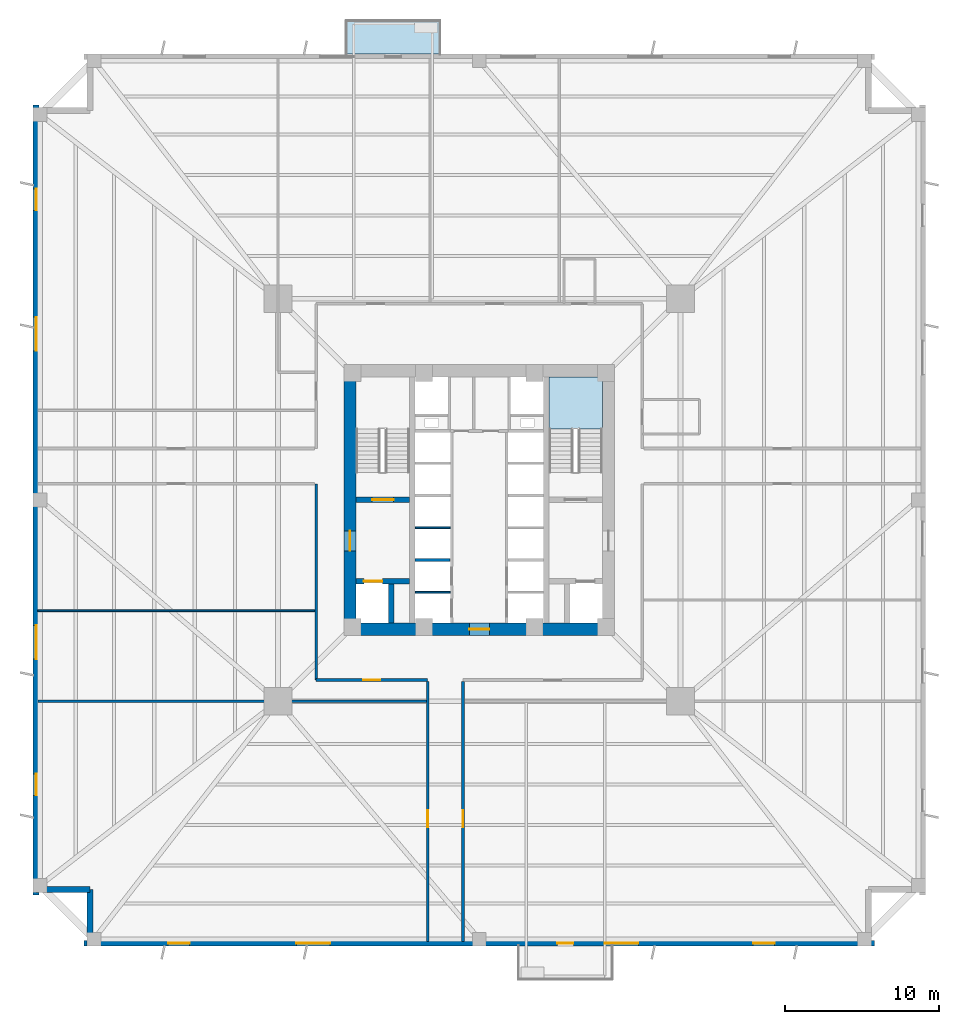
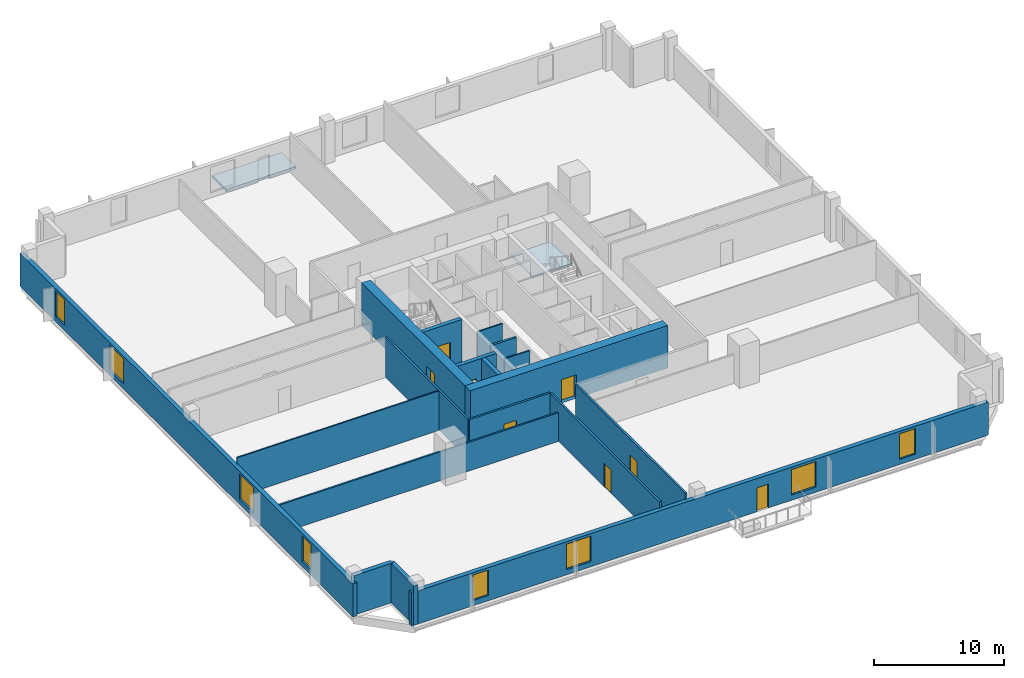
# One storey, part 2 of 8: 18 walls, 8 doors, 8 windows, 2 slabs, 16 openings, 1 element without a shape of its own.
"""IFC4 building model written with IfcOpenShell, lengths in metres."""

from ifc_helpers import new_model, si_unit, direction, frame, frame_2d, origin, place, context, subcontext, project, spatial, polyline, rectangle, outline, extrude, source, transform, mapped, material, layer, layer_set, type_object, element, fill, aggregate, save


model = new_model("IFC4")

# Units and contexts
model_context = context("Model", 3, precision=1e-05, world=origin(), true_north=direction((0.0, 1.0)))
body_context = subcontext(model_context, "Body", "Model", "MODEL_VIEW")
ifc_project = project(units=[si_unit("LENGTHUNIT", "METRE"), si_unit("AREAUNIT", "SQUARE_METRE"), si_unit("VOLUMEUNIT", "CUBIC_METRE"), si_unit("PLANEANGLEUNIT", "RADIAN"), si_unit("MASSUNIT", "GRAM", prefix="KILO"), si_unit("THERMODYNAMICTEMPERATUREUNIT", "KELVIN")], contexts=[model_context])

# Site, building, storey
site_placement = place(None, origin())
site = spatial("IfcSite", under=ifc_project, at=site_placement, CompositionType="ELEMENT")
building_placement = place(site_placement, origin())
building = spatial("IfcBuilding", under=site, at=building_placement, Name="Kosmvard Interchange Tower", CompositionType="ELEMENT")
storey_placement = place(building_placement, frame((0.0, 0.0, 62.0)))
storey = spatial("IfcBuildingStorey", under=building, at=storey_placement, Name="L14", CompositionType="ELEMENT", Elevation=62.0)

# Stair, slab
ifc_material_1 = material(Name="Concrete C50/60", Category="concrete")
stair_type = type_object("IfcStairType", Name="Dog-Leg Core Exit Stair H4000 C50/60", PredefinedType="HALF_TURN_STAIR", material=ifc_material_1)
stair_placement = place(storey_placement, origin())
stair = element("IfcStair", 1, at=stair_placement, inside=storey, type_object=stair_type, Name="L14 Protected Exit Stair ST-2", PredefinedType="HALF_TURN_STAIR")
ifc_layer_1 = layer(ifc_material_1, 0.199951171875, Name="Concrete C50/60")
ifc_layer_set_1 = layer_set([ifc_layer_1], Name="Concrete C50/60")
slab_type_1 = type_object("IfcSlabType", Name="Stair Half-Landing Slab 200 C50/60", PredefinedType="LANDING", material=ifc_layer_set_1)
slab_1_placement = place(storey_placement, frame((0.0, 0.0, 1.800048828125)))
slab_1 = element("IfcSlab", 2, at=slab_1_placement, type_object=slab_type_1, Name="ST-2 landing 1", PredefinedType="LANDING", context=body_context, shape_type="SweptSolid", body=[
    extrude(outline(polyline([(8.0, 4.60009765625), (8.0, 8.0), (4.5400390625, 8.0), (4.5400390625, 4.60009765625), (8.0, 4.60009765625)])), origin(), (0.0, 0.0, 1.0), 0.199951171875),
])
aggregate(stair, [slab_1])

# Slab
ifc_layer_2 = layer(ifc_material_1, 0.22998046875, Name="Concrete C50/60")
ifc_layer_set_2 = layer_set([ifc_layer_2], Name="Concrete C50/60")
slab_type_2 = type_object("IfcSlabType", Name="Tree-Planter Cantilever Balcony Slab 230 C50/60", PredefinedType="FLOOR", material=ifc_layer_set_2)
slab_2_placement = place(storey_placement, frame((0.0, 0.0, -0.22998046875)))
element("IfcSlab", 3, at=slab_2_placement, inside=storey, type_object=slab_type_2, Name="L14 Outdoor Terrace Balcony Slab BAL-L14-NE", PredefinedType="FLOOR", context=body_context, shape_type="SweptSolid", body=[
    extrude(outline(polyline([(-8.699951171875, 29.0), (-2.5, 29.0), (-2.5, 31.199951171875), (-8.699951171875, 31.199951171875), (-8.699951171875, 29.0)])), origin(), (0.0, 0.0, 1.0), 0.22998046875),
])

# Wall
ifc_material_2 = material(Name="Acoustic gypsum partition system")
ifc_layer_3 = layer(ifc_material_2, 0.14990234375, Name="Acoustic gypsum partition system")
ifc_layer_set_3 = layer_set([ifc_layer_3], Name="Acoustic gypsum partition system")
wall_type_1 = type_object("IfcWallType", Name="Acoustic Suite & Meeting Partition 150", PredefinedType="PARTITIONING", material=ifc_layer_set_3)
wall_1_placement = place(storey_placement, frame((-28.68505859375, -13.0810546875, 0.0), z_axis=(0.0, 0.0, 1.0), x_axis=(1.0, 0.0, 0.0)))
element("IfcWall", 4, at=wall_1_placement, inside=storey, type_object=wall_type_1, Name="L14 Room Partition 08.1", PredefinedType="PARTITIONING", context=body_context, shape_type="SweptSolid", body=[
    extrude(rectangle(XDim=25.239990234375, YDim=0.14990234375, at=frame_2d((12.6201171875, 0.0))), origin(), (0.0, 0.0, 1.0), 2.7119140625),
])

# Wall, opening, door
ifc_material_3 = material(Name="Fire-rated gypsum partition system")
ifc_layer_4 = layer(ifc_material_3, 0.179931640625, Name="Fire-rated gypsum partition system")
ifc_layer_set_4 = layer_set([ifc_layer_4], Name="Fire-rated gypsum partition system")
wall_type_2 = type_object("IfcWallType", Name="Corridor & Hotel Compartment Partition 180", PredefinedType="PARTITIONING", material=ifc_layer_set_4)
wall_2_placement = place(storey_placement, frame((-10.60009765625, -11.699951171875, 0.0), z_axis=(0.0, 0.0, 1.0), x_axis=(1.0, 0.0, 0.0)))
wall_2 = element("IfcWall", 5, at=wall_2_placement, inside=storey, type_object=wall_type_2, Name="L14 Corridor Wall CSW", PredefinedType="PARTITIONING", context=body_context, shape_type="SweptSolid", body=[
    extrude(rectangle(XDim=7.25, YDim=0.179931640625, at=frame_2d((3.625, 0.0))), origin(), (0.0, 0.0, 1.0), 3.719970703125),
])
opening_1_placement = place(wall_2_placement, frame((3.074951171875, 0.0, 0.0)))
opening_1 = element("IfcOpeningElement", 6, at=opening_1_placement, cuts=wall_2, Name="Opening L14-D12", PredefinedType="OPENING", context=body_context, shape_type="SweptSolid", body=[
    extrude(rectangle(XDim=1.10009765625, YDim=2.199951171875, at=frame_2d((0.550048828125, 1.10009765625))), frame((0.0, 0.10009765625, 0.0), z_axis=(0.0, -1.0, 0.0), x_axis=(1.0, 0.0, 0.0)), (0.0, 0.0, 1.0), 0.199951171875),
])
ifc_material_4 = material(Name="Engineered oak fire-rated timber", Category="wood")
door_type_1 = type_object("IfcDoorType", Name="Office Suite Entrance Door 1100x2200 FD30S", OperationType="NOTDEFINED", PredefinedType="DOOR", material=ifc_material_4)
shared_shape_1 = source(origin(), body_context, "Body", "SweptSolid", [
    extrude(rectangle(XDim=1.10009765625, YDim=2.199951171875, at=frame_2d((0.550048828125, 1.10009765625))), frame((0.0, 0.02490234375, 0.0), z_axis=(0.0, -1.0, 0.0), x_axis=(1.0, 0.0, 0.0)), (0.0, 0.0, 1.0), 0.050048828125),
])
door_1_placement = place(opening_1_placement, frame((1.10009765625, 0.0, 0.0), z_axis=(0.0, 0.0, 1.0), x_axis=(-1.0, 0.0, 0.0)))
door_1 = element("IfcDoor", 7, at=door_1_placement, inside=storey, type_object=door_type_1, Name="L14 West Team Office 4 Door", OperationType="SINGLE_SWING_RIGHT", OverallHeight=2.199951171875, OverallWidth=1.10009765625, PredefinedType="DOOR", context=body_context, shape_type="MappedRepresentation", body=[
    mapped(shared_shape_1, transform((0.0, 0.0, 0.0), scale=1.0)),
])
fill(opening_1, door_1)

# Wall
wall_3_placement = place(storey_placement, frame((-10.60009765625, -11.699951171875, 0.0), z_axis=(0.0, 0.0, 1.0), x_axis=(0.0, 1.0, 0.0)))
element("IfcWall", 8, at=wall_3_placement, inside=storey, type_object=wall_type_2, Name="L14 Corridor Wall CWS", PredefinedType="PARTITIONING", context=body_context, shape_type="SweptSolid", body=[
    extrude(rectangle(XDim=12.75, YDim=0.179931640625, at=frame_2d((6.375, 0.0))), origin(), (0.0, 0.0, 1.0), 3.719970703125),
])

# Wall, opening, door
wall_4_placement = place(storey_placement, frame((-3.35009765625, -28.68505859375, 0.0), z_axis=(0.0, 0.0, 1.0), x_axis=(0.0, 1.0, 0.0)))
wall_4 = element("IfcWall", 9, at=wall_4_placement, inside=storey, type_object=wall_type_2, Name="L14 Corridor Wall SSW", PredefinedType="PARTITIONING", context=body_context, shape_type="SweptSolid", body=[
    extrude(rectangle(XDim=16.885009765625, YDim=0.179931640625, at=frame_2d((8.4423828125, 0.0))), origin(), (0.0, 0.0, 1.0), 3.719970703125),
])
opening_2_placement = place(wall_4_placement, frame((7.41650390625, 0.0, 0.0)))
opening_2 = element("IfcOpeningElement", 10, at=opening_2_placement, cuts=wall_4, Name="Opening L14-D13", PredefinedType="OPENING", context=body_context, shape_type="SweptSolid", body=[
    extrude(rectangle(XDim=1.10009765625, YDim=2.199951171875, at=frame_2d((0.550048828125, 1.10009765625))), frame((0.0, 0.10009765625, 0.0), z_axis=(0.0, -1.0, 0.0), x_axis=(1.0, 0.0, 0.0)), (0.0, 0.0, 1.0), 0.199951171875),
])
door_2_placement = place(opening_2_placement, origin())
door_2 = element("IfcDoor", 11, at=door_2_placement, inside=storey, type_object=door_type_1, Name="L14 South-West Corner Office Door", OperationType="SINGLE_SWING_LEFT", OverallHeight=2.199951171875, OverallWidth=1.10009765625, PredefinedType="DOOR", context=body_context, shape_type="MappedRepresentation", body=[
    mapped(shared_shape_1, transform((0.0, 0.0, 0.0), scale=1.0)),
])
fill(opening_2, door_2)

wall_5_placement = place(storey_placement, frame((-1.050048828125, -28.68505859375, 0.0), z_axis=(0.0, 0.0, 1.0), x_axis=(0.0, 1.0, 0.0)))
wall_5 = element("IfcWall", 12, at=wall_5_placement, inside=storey, type_object=wall_type_2, Name="L14 Corridor Wall SSE", PredefinedType="PARTITIONING", context=body_context, shape_type="SweptSolid", body=[
    extrude(rectangle(XDim=16.885009765625, YDim=0.179931640625, at=frame_2d((8.4423828125, 0.0))), origin(), (0.0, 0.0, 1.0), 3.719970703125),
])
opening_3_placement = place(wall_5_placement, frame((7.41650390625, 0.0, 0.0)))
opening_3 = element("IfcOpeningElement", 13, at=opening_3_placement, cuts=wall_5, Name="Opening L14-D10", PredefinedType="OPENING", context=body_context, shape_type="SweptSolid", body=[
    extrude(rectangle(XDim=1.10009765625, YDim=2.199951171875, at=frame_2d((0.550048828125, 1.10009765625))), frame((0.0, 0.10009765625, 0.0), z_axis=(0.0, -1.0, 0.0), x_axis=(1.0, 0.0, 0.0)), (0.0, 0.0, 1.0), 0.199951171875),
])
door_3_placement = place(opening_3_placement, frame((1.10009765625, 0.0, 0.0), z_axis=(0.0, 0.0, 1.0), x_axis=(-1.0, 0.0, 0.0)))
door_3 = element("IfcDoor", 14, at=door_3_placement, inside=storey, type_object=door_type_1, Name="L14 South-East Corner Office Door", OperationType="SINGLE_SWING_RIGHT", OverallHeight=2.199951171875, OverallWidth=1.10009765625, PredefinedType="DOOR", context=body_context, shape_type="MappedRepresentation", body=[
    mapped(shared_shape_1, transform((0.0, 0.0, 0.0), scale=1.0)),
])
fill(opening_3, door_3)

ifc_material_5 = material(Name="Concrete C80/95", Category="concrete")
ifc_layer_5 = layer(ifc_material_5, 0.800048828125, Name="Concrete C80/95")
ifc_layer_set_5 = layer_set([ifc_layer_5], Name="Concrete C80/95")
wall_type_3 = type_object("IfcWallType", Name="Lower Core Shear Wall 800 C80/95", PredefinedType="SHEAR", material=ifc_layer_set_5)
wall_6_placement = place(storey_placement, frame((-8.800048828125, -8.39990234375, 0.0), z_axis=(0.0, 0.0, 1.0), x_axis=(1.0, 0.0, 0.0)))
wall_6 = element("IfcWall", 15, at=wall_6_placement, inside=storey, type_object=wall_type_3, Name="L14 Core Shear Wall CW-S", PredefinedType="SHEAR", context=body_context, shape_type="SweptSolid", body=[
    extrude(rectangle(XDim=17.60009765625, YDim=0.800048828125, at=frame_2d((8.800048828125, 0.0))), origin(), (0.0, 0.0, 1.0), 4.0),
])
opening_4_placement = place(wall_6_placement, frame((8.14990234375, 0.0, 0.0)))
opening_4 = element("IfcOpeningElement", 16, at=opening_4_placement, cuts=wall_6, Name="Opening L14-LD0", PredefinedType="OPENING", context=body_context, shape_type="SweptSolid", body=[
    extrude(rectangle(XDim=1.300048828125, YDim=2.199951171875, at=frame_2d((0.64990234375, 1.10009765625))), frame((0.0, 0.41015625, 0.0), z_axis=(0.0, -1.0, 0.0), x_axis=(1.0, 0.0, 0.0)), (0.0, 0.0, 1.0), 0.820068359375),
])
ifc_material_6 = material(Name="Painted fire-rated steel leaf", Category="steel")
door_type_2 = type_object("IfcDoorType", Name="Firefighting Lobby Door 1300x2200 EI60", OperationType="NOTDEFINED", PredefinedType="DOOR", material=ifc_material_6)
shared_shape_2 = source(origin(), body_context, "Body", "SweptSolid", [
    extrude(rectangle(XDim=1.300048828125, YDim=2.199951171875, at=frame_2d((0.64990234375, 1.10009765625))), frame((0.0, 0.02490234375, 0.0), z_axis=(0.0, -1.0, 0.0), x_axis=(1.0, 0.0, 0.0)), (0.0, 0.0, 1.0), 0.050048828125),
])
door_4_placement = place(opening_4_placement, frame((1.300048828125, 0.0, 0.0), z_axis=(0.0, 0.0, 1.0), x_axis=(-1.0, 0.0, 0.0)))
door_4 = element("IfcDoor", 17, at=door_4_placement, inside=storey, type_object=door_type_2, Name="L14 Passenger Lift Lobby South Door", OperationType="SINGLE_SWING_LEFT", OverallHeight=2.199951171875, OverallWidth=1.300048828125, PredefinedType="DOOR", context=body_context, shape_type="MappedRepresentation", body=[
    mapped(shared_shape_2, transform((0.0, 0.0, 0.0), scale=1.0)),
])
fill(opening_4, door_4)

wall_7_placement = place(storey_placement, frame((-8.39990234375, -8.0, 0.0), z_axis=(0.0, 0.0, 1.0), x_axis=(0.0, 1.0, 0.0)))
wall_7 = element("IfcWall", 18, at=wall_7_placement, inside=storey, type_object=wall_type_3, Name="L14 Core Shear Wall CW-W", PredefinedType="SHEAR", context=body_context, shape_type="SweptSolid", body=[
    extrude(rectangle(XDim=16.0, YDim=0.800048828125, at=frame_2d((8.0, 0.0))), origin(), (0.0, 0.0, 1.0), 4.0),
])
opening_5_placement = place(wall_7_placement, frame((4.68994140625, 0.0, 0.0)))
opening_5 = element("IfcOpeningElement", 19, at=opening_5_placement, cuts=wall_7, Name="Opening L14-FD1", PredefinedType="OPENING", context=body_context, shape_type="SweptSolid", body=[
    extrude(rectangle(XDim=1.300048828125, YDim=2.199951171875, at=frame_2d((0.64990234375, 1.10009765625))), frame((0.0, 0.41015625, 0.0), z_axis=(0.0, -1.0, 0.0), x_axis=(1.0, 0.0, 0.0)), (0.0, 0.0, 1.0), 0.820068359375),
])
door_5_placement = place(opening_5_placement, frame((1.300048828125, 0.0, 0.0), z_axis=(0.0, 0.0, 1.0), x_axis=(-1.0, 0.0, 0.0)))
door_5 = element("IfcDoor", 20, at=door_5_placement, inside=storey, type_object=door_type_2, Name="L14 Firefighting Lobby West Door", OperationType="SINGLE_SWING_LEFT", OverallHeight=2.199951171875, OverallWidth=1.300048828125, PredefinedType="DOOR", context=body_context, shape_type="MappedRepresentation", body=[
    mapped(shared_shape_2, transform((0.0, 0.0, 0.0), scale=1.0)),
])
fill(opening_5, door_5)

# Wall, openings, door, windows
ifc_material_7 = material(Name="Precast concrete C45/55", Category="concrete")
ifc_layer_6 = layer(ifc_material_7, 0.3798828125, Name="Precast concrete C45/55")
ifc_layer_set_6 = layer_set([ifc_layer_6], Name="Precast concrete C45/55")
wall_type_4 = type_object("IfcWallType", Name="Lower Tower Precast Pier Wall 380 C45/55", PredefinedType="STANDARD", material=ifc_layer_set_6)
wall_8_placement = place(storey_placement, frame((-25.68994140625, -28.81005859375, 0.0), z_axis=(0.0, 0.0, 1.0), x_axis=(1.0, 0.0, 0.0)))
wall_8 = element("IfcWall", 21, at=wall_8_placement, inside=storey, type_object=wall_type_4, Name="L14 Precast Facade Wall F-S", PredefinedType="STANDARD", context=body_context, shape_type="SweptSolid", body=[
    extrude(rectangle(XDim=51.3798828125, YDim=0.3798828125, at=frame_2d((25.68994140625, 0.0))), origin(), (0.0, 0.0, 1.0), 3.1201171875),
])
opening_6_placement = place(wall_8_placement, frame((30.764892578125, 0.0, 0.0)))
opening_6 = element("IfcOpeningElement", 22, at=opening_6_placement, cuts=wall_8, Name="Opening L14-BDW", PredefinedType="OPENING", context=body_context, shape_type="SweptSolid", body=[
    extrude(rectangle(XDim=1.050048828125, YDim=2.25, at=frame_2d((0.52490234375, 1.125))), frame((0.0, 0.199951171875, 0.0), z_axis=(0.0, -1.0, 0.0), x_axis=(1.0, 0.0, 0.0)), (0.0, 0.0, 1.0), 0.39990234375),
])
opening_7_placement = place(wall_8_placement, frame((5.465576171875, 0.0, 0.489990234375)))
opening_7 = element("IfcOpeningElement", 23, at=opening_7_placement, cuts=wall_8, Name="Opening L14-W01", PredefinedType="OPENING", context=body_context, shape_type="SweptSolid", body=[
    extrude(rectangle(XDim=1.39990234375, YDim=2.39990234375, at=frame_2d((0.699951171875, 1.199951171875))), frame((0.0, 0.199951171875, 0.0), z_axis=(0.0, -1.0, 0.0), x_axis=(1.0, 0.0, 0.0)), (0.0, 0.0, 1.0), 0.39990234375),
])
opening_8_placement = place(wall_8_placement, frame((13.80029296875, 0.0, 0.489990234375)))
opening_8 = element("IfcOpeningElement", 24, at=opening_8_placement, cuts=wall_8, Name="Opening L14-W02", PredefinedType="OPENING", context=body_context, shape_type="SweptSolid", body=[
    extrude(rectangle(XDim=2.199951171875, YDim=2.39990234375, at=frame_2d((1.10009765625, 1.199951171875))), frame((0.0, 0.199951171875, 0.0), z_axis=(0.0, -1.0, 0.0), x_axis=(1.0, 0.0, 0.0)), (0.0, 0.0, 1.0), 0.39990234375),
])
opening_9_placement = place(wall_8_placement, frame((33.83837890625, 0.0, 0.489990234375)))
opening_9 = element("IfcOpeningElement", 25, at=opening_9_placement, cuts=wall_8, Name="Opening L14-W03", PredefinedType="OPENING", context=body_context, shape_type="SweptSolid", body=[
    extrude(rectangle(XDim=2.199951171875, YDim=2.39990234375, at=frame_2d((1.10009765625, 1.199951171875))), frame((0.0, 0.199951171875, 0.0), z_axis=(0.0, -1.0, 0.0), x_axis=(1.0, 0.0, 0.0)), (0.0, 0.0, 1.0), 0.39990234375),
])
opening_10_placement = place(wall_8_placement, frame((43.48681640625, 0.0, 0.489990234375)))
opening_10 = element("IfcOpeningElement", 26, at=opening_10_placement, cuts=wall_8, Name="Opening L14-W04", PredefinedType="OPENING", context=body_context, shape_type="SweptSolid", body=[
    extrude(rectangle(XDim=1.39990234375, YDim=2.39990234375, at=frame_2d((0.699951171875, 1.199951171875))), frame((0.0, 0.199951171875, 0.0), z_axis=(0.0, -1.0, 0.0), x_axis=(1.0, 0.0, 0.0)), (0.0, 0.0, 1.0), 0.39990234375),
])
ifc_material_8 = material(Name="Anodised aluminium and safety glass", Category="aluminium")
door_type_3 = type_object("IfcDoorType", Name="Tree-Balcony Glazed Door 1050x2250", OperationType="NOTDEFINED", PredefinedType="DOOR", material=ifc_material_8)
shared_shape_3 = source(origin(), body_context, "Body", "SweptSolid", [
    extrude(rectangle(XDim=1.050048828125, YDim=2.25, at=frame_2d((0.52490234375, 1.125))), frame((0.0, 0.02490234375, 0.0), z_axis=(0.0, -1.0, 0.0), x_axis=(1.0, 0.0, 0.0)), (0.0, 0.0, 1.0), 0.050048828125),
])
door_6_placement = place(opening_6_placement, origin())
door_6 = element("IfcDoor", 27, at=door_6_placement, inside=storey, type_object=door_type_3, Name="L14 Tree-Balcony Door BAL-L14-SW", OperationType="SINGLE_SWING_LEFT", OverallHeight=2.25, OverallWidth=1.050048828125, PredefinedType="DOOR", context=body_context, shape_type="MappedRepresentation", body=[
    mapped(shared_shape_3, transform((0.0, 0.0, 0.0), scale=1.0)),
])
fill(opening_6, door_6)
ifc_material_9 = material(Name="Low-E solar-control double glazing", Category="glass")
window_type_1 = type_object("IfcWindowType", Name="Notched Corner Feature Window 1400x2400", PartitioningType="SINGLE_PANEL", PredefinedType="WINDOW", material=ifc_material_9)
shared_shape_4 = source(origin(), body_context, "Body", "SweptSolid", [
    extrude(rectangle(XDim=1.39990234375, YDim=2.39990234375, at=frame_2d((0.699951171875, 1.199951171875))), frame((0.0, 0.030029296875, 0.0), z_axis=(0.0, -1.0, 0.0), x_axis=(1.0, 0.0, 0.0)), (0.0, 0.0, 1.0), 0.06005859375),
])
window_1_placement = place(opening_7_placement, origin())
window_1 = element("IfcWindow", 28, at=window_1_placement, inside=storey, type_object=window_type_1, Name="L14 Facade Punched Window 01", OverallHeight=2.39990234375, OverallWidth=1.39990234375, PartitioningType="SINGLE_PANEL", PredefinedType="WINDOW", context=body_context, shape_type="MappedRepresentation", body=[
    mapped(shared_shape_4, transform((0.0, 0.0, 0.0), scale=1.0)),
])
fill(opening_7, window_1)
window_2_placement = place(opening_10_placement, origin())
window_2 = element("IfcWindow", 29, at=window_2_placement, inside=storey, type_object=window_type_1, Name="L14 Facade Punched Window 04", OverallHeight=2.39990234375, OverallWidth=1.39990234375, PartitioningType="SINGLE_PANEL", PredefinedType="WINDOW", context=body_context, shape_type="MappedRepresentation", body=[
    mapped(shared_shape_4, transform((0.0, 0.0, 0.0), scale=1.0)),
])
fill(opening_10, window_2)
window_type_2 = type_object("IfcWindowType", Name="Zone 1 Office Punched Window 2200x2400", PartitioningType="SINGLE_PANEL", PredefinedType="WINDOW", material=ifc_material_9)
shared_shape_5 = source(origin(), body_context, "Body", "SweptSolid", [
    extrude(rectangle(XDim=2.199951171875, YDim=2.39990234375, at=frame_2d((1.10009765625, 1.199951171875))), frame((0.0, 0.030029296875, 0.0), z_axis=(0.0, -1.0, 0.0), x_axis=(1.0, 0.0, 0.0)), (0.0, 0.0, 1.0), 0.06005859375),
])
window_3_placement = place(opening_8_placement, origin())
window_3 = element("IfcWindow", 30, at=window_3_placement, inside=storey, type_object=window_type_2, Name="L14 Facade Punched Window 02", OverallHeight=2.39990234375, OverallWidth=2.199951171875, PartitioningType="SINGLE_PANEL", PredefinedType="WINDOW", context=body_context, shape_type="MappedRepresentation", body=[
    mapped(shared_shape_5, transform((0.0, 0.0, 0.0), scale=1.0)),
])
fill(opening_8, window_3)
window_4_placement = place(opening_9_placement, origin())
window_4 = element("IfcWindow", 31, at=window_4_placement, inside=storey, type_object=window_type_2, Name="L14 Facade Punched Window 03", OverallHeight=2.39990234375, OverallWidth=2.199951171875, PartitioningType="SINGLE_PANEL", PredefinedType="WINDOW", context=body_context, shape_type="MappedRepresentation", body=[
    mapped(shared_shape_5, transform((0.0, 0.0, 0.0), scale=1.0)),
])
fill(opening_9, window_4)

# Wall, openings, windows
wall_9_placement = place(storey_placement, frame((-28.81005859375, 25.68994140625, 0.0), z_axis=(0.0, 0.0, 1.0), x_axis=(0.0, -1.0, 0.0)))
wall_9 = element("IfcWall", 32, at=wall_9_placement, inside=storey, type_object=wall_type_4, Name="L14 Precast Facade Wall F-W", PredefinedType="STANDARD", context=body_context, shape_type="SweptSolid", body=[
    extrude(rectangle(XDim=51.3798828125, YDim=0.3798828125, at=frame_2d((25.68994140625, 0.0))), origin(), (0.0, 0.0, 1.0), 3.1201171875),
])
opening_11_placement = place(wall_9_placement, frame((5.465576171875, 0.0, 0.489990234375)))
opening_11 = element("IfcOpeningElement", 33, at=opening_11_placement, cuts=wall_9, Name="Opening L14-W15", PredefinedType="OPENING", context=body_context, shape_type="SweptSolid", body=[
    extrude(rectangle(XDim=1.39990234375, YDim=2.39990234375, at=frame_2d((0.699951171875, 1.199951171875))), frame((0.0, 0.199951171875, 0.0), z_axis=(0.0, -1.0, 0.0), x_axis=(1.0, 0.0, 0.0)), (0.0, 0.0, 1.0), 0.39990234375),
])
opening_12_placement = place(wall_9_placement, frame((13.80029296875, 0.0, 0.489990234375)))
opening_12 = element("IfcOpeningElement", 34, at=opening_12_placement, cuts=wall_9, Name="Opening L14-W16", PredefinedType="OPENING", context=body_context, shape_type="SweptSolid", body=[
    extrude(rectangle(XDim=2.199951171875, YDim=2.39990234375, at=frame_2d((1.10009765625, 1.199951171875))), frame((0.0, 0.199951171875, 0.0), z_axis=(0.0, -1.0, 0.0), x_axis=(1.0, 0.0, 0.0)), (0.0, 0.0, 1.0), 0.39990234375),
])
opening_13_placement = place(wall_9_placement, frame((33.83837890625, 0.0, 0.489990234375)))
opening_13 = element("IfcOpeningElement", 35, at=opening_13_placement, cuts=wall_9, Name="Opening L14-W17", PredefinedType="OPENING", context=body_context, shape_type="SweptSolid", body=[
    extrude(rectangle(XDim=2.199951171875, YDim=2.39990234375, at=frame_2d((1.10009765625, 1.199951171875))), frame((0.0, 0.199951171875, 0.0), z_axis=(0.0, -1.0, 0.0), x_axis=(1.0, 0.0, 0.0)), (0.0, 0.0, 1.0), 0.39990234375),
])
opening_14_placement = place(wall_9_placement, frame((43.48681640625, 0.0, 0.489990234375)))
opening_14 = element("IfcOpeningElement", 36, at=opening_14_placement, cuts=wall_9, Name="Opening L14-W18", PredefinedType="OPENING", context=body_context, shape_type="SweptSolid", body=[
    extrude(rectangle(XDim=1.39990234375, YDim=2.39990234375, at=frame_2d((0.699951171875, 1.199951171875))), frame((0.0, 0.199951171875, 0.0), z_axis=(0.0, -1.0, 0.0), x_axis=(1.0, 0.0, 0.0)), (0.0, 0.0, 1.0), 0.39990234375),
])
window_5_placement = place(opening_11_placement, origin())
window_5 = element("IfcWindow", 37, at=window_5_placement, inside=storey, type_object=window_type_1, Name="L14 Facade Punched Window 15", OverallHeight=2.39990234375, OverallWidth=1.39990234375, PartitioningType="SINGLE_PANEL", PredefinedType="WINDOW", context=body_context, shape_type="MappedRepresentation", body=[
    mapped(shared_shape_4, transform((0.0, 0.0, 0.0), scale=1.0)),
])
fill(opening_11, window_5)
window_6_placement = place(opening_14_placement, origin())
window_6 = element("IfcWindow", 38, at=window_6_placement, inside=storey, type_object=window_type_1, Name="L14 Facade Punched Window 18", OverallHeight=2.39990234375, OverallWidth=1.39990234375, PartitioningType="SINGLE_PANEL", PredefinedType="WINDOW", context=body_context, shape_type="MappedRepresentation", body=[
    mapped(shared_shape_4, transform((0.0, 0.0, 0.0), scale=1.0)),
])
fill(opening_14, window_6)
window_7_placement = place(opening_12_placement, origin())
window_7 = element("IfcWindow", 39, at=window_7_placement, inside=storey, type_object=window_type_2, Name="L14 Facade Punched Window 16", OverallHeight=2.39990234375, OverallWidth=2.199951171875, PartitioningType="SINGLE_PANEL", PredefinedType="WINDOW", context=body_context, shape_type="MappedRepresentation", body=[
    mapped(shared_shape_5, transform((0.0, 0.0, 0.0), scale=1.0)),
])
fill(opening_12, window_7)
window_8_placement = place(opening_13_placement, origin())
window_8 = element("IfcWindow", 40, at=window_8_placement, inside=storey, type_object=window_type_2, Name="L14 Facade Punched Window 17", OverallHeight=2.39990234375, OverallWidth=2.199951171875, PartitioningType="SINGLE_PANEL", PredefinedType="WINDOW", context=body_context, shape_type="MappedRepresentation", body=[
    mapped(shared_shape_5, transform((0.0, 0.0, 0.0), scale=1.0)),
])
fill(opening_13, window_8)

# Walls
wall_10_placement = place(storey_placement, frame((-28.81005859375, -25.31005859375, 0.0), z_axis=(0.0, 0.0, 1.0), x_axis=(1.0, 0.0, 0.0)))
element("IfcWall", 41, at=wall_10_placement, inside=storey, type_object=wall_type_4, Name="L14 Precast Facade Wall N-SW1", PredefinedType="STANDARD", context=body_context, shape_type="SweptSolid", body=[
    extrude(rectangle(XDim=3.5, YDim=0.3798828125, at=frame_2d((1.75, 0.0))), origin(), (0.0, 0.0, 1.0), 3.719970703125),
])
wall_11_placement = place(storey_placement, frame((-25.31005859375, -25.31005859375, 0.0), z_axis=(0.0, 0.0, 1.0), x_axis=(0.0, -1.0, 0.0)))
element("IfcWall", 42, at=wall_11_placement, inside=storey, type_object=wall_type_4, Name="L14 Precast Facade Wall N-SW2", PredefinedType="STANDARD", context=body_context, shape_type="SweptSolid", body=[
    extrude(rectangle(XDim=3.68994140625, YDim=0.3798828125, at=frame_2d((1.844970703125, 0.0))), origin(), (0.0, 0.0, 1.0), 3.719970703125),
])
ifc_material_10 = material(Name="Gypsum board partition system")
ifc_layer_7 = layer(ifc_material_10, 0.1201171875, Name="Gypsum board partition system")
ifc_layer_set_7 = layer_set([ifc_layer_7], Name="Gypsum board partition system")
wall_type_5 = type_object("IfcWallType", Name="Office Cellular Partition 120", PredefinedType="PARTITIONING", material=ifc_layer_set_7)
wall_12_placement = place(storey_placement, frame((-28.68505859375, -7.199951171875, 0.0), z_axis=(0.0, 0.0, 1.0), x_axis=(1.0, 0.0, 0.0)))
element("IfcWall", 43, at=wall_12_placement, inside=storey, type_object=wall_type_5, Name="L14 Room Partition 09.1", PredefinedType="PARTITIONING", context=body_context, shape_type="SweptSolid", body=[
    extrude(rectangle(XDim=17.989990234375, YDim=0.1201171875, at=frame_2d((8.9951171875, 0.0))), origin(), (0.0, 0.0, 1.0), 3.719970703125),
])
ifc_material_11 = material(Name="Concrete blockwork masonry", Category="masonry")
ifc_layer_8 = layer(ifc_material_11, 0.179931640625, Name="Concrete blockwork masonry")
ifc_layer_set_8 = layer_set([ifc_layer_8], Name="Concrete blockwork masonry")
wall_type_6 = type_object("IfcWallType", Name="Riser & Lift Bank Divider Wall 180", PredefinedType="PARTITIONING", material=ifc_layer_set_8)
wall_13_placement = place(storey_placement, frame((-4.169921875, -3.89990234375, 0.0), z_axis=(0.0, 0.0, 1.0), x_axis=(1.0, 0.0, 0.0)))
element("IfcWall", 44, at=wall_13_placement, inside=storey, type_object=wall_type_6, Name="L14 West Bank Divider BD1", PredefinedType="PARTITIONING", context=body_context, shape_type="SweptSolid", body=[
    extrude(rectangle(XDim=2.280029296875, YDim=0.179931640625, at=frame_2d((1.14013671875, 0.0))), origin(), (0.0, 0.0, 1.0), 3.719970703125),
])
ifc_material_12 = material(Name="Fire-rated gypsum shaftwall system")
ifc_layer_9 = layer(ifc_material_12, 0.1201171875, Name="Fire-rated gypsum shaftwall system")
ifc_layer_set_9 = layer_set([ifc_layer_9], Name="Fire-rated gypsum shaftwall system")
wall_type_7 = type_object("IfcWallType", Name="Shaft & Riser Fire Partition 120 EI60", PredefinedType="PARTITIONING", material=ifc_layer_set_9)
for number, where, z_axis, x_axis, name in (
    (45, (-4.159912109375, -6.0, 0.0), (0.0, 0.0, 1.0), (1.0, 0.0, 0.0), "L14 Shaft Divider PL-L1"),
    (46, (-4.159912109375, -1.800048828125, 0.0), (0.0, 0.0, 1.0), (1.0, 0.0, 0.0), "L14 Shaft Divider PL-M1"),
):
    element("IfcWall", number, at=place(storey_placement, frame(where, z_axis=z_axis, x_axis=x_axis)), inside=storey, type_object=wall_type_7, Name=name, PredefinedType="PARTITIONING", context=body_context, shape_type="SweptSolid", body=[
        extrude(rectangle(XDim=2.260009765625, YDim=0.1201171875, at=frame_2d((1.1298828125, 0.0))), origin(), (0.0, 0.0, 1.0), 3.719970703125),
    ])

# Wall, opening, door
ifc_material_13 = material(Name="Concrete C60/75", Category="concrete")
ifc_layer_10 = layer(ifc_material_13, 0.360107421875, Name="Concrete C60/75")
ifc_layer_set_10 = layer_set([ifc_layer_10], Name="Concrete C60/75")
wall_type_8 = type_object("IfcWallType", Name="Stair & Lift Shaft Shear Wall 360 C60/75", PredefinedType="SHEAR", material=ifc_layer_set_10)
wall_14_placement = place(storey_placement, frame((-8.0, 0.02001953125, 0.0), z_axis=(0.0, 0.0, 1.0), x_axis=(1.0, 0.0, 0.0)))
wall_14 = element("IfcWall", 47, at=wall_14_placement, inside=storey, type_object=wall_type_8, Name="L14 Shaft Shear Wall SW-ST1", PredefinedType="SHEAR", context=body_context, shape_type="SweptSolid", body=[
    extrude(rectangle(XDim=3.4599609375, YDim=0.360107421875, at=frame_2d((1.72998046875, 0.0))), origin(), (0.0, 0.0, 1.0), 4.0),
])
opening_15_placement = place(wall_14_placement, frame((1.030029296875, 0.0, 0.0)))
opening_15 = element("IfcOpeningElement", 48, at=opening_15_placement, cuts=wall_14, Name="Opening L14-SD1", PredefinedType="OPENING", context=body_context, shape_type="SweptSolid", body=[
    extrude(rectangle(XDim=1.39990234375, YDim=2.199951171875, at=frame_2d((0.699951171875, 1.10009765625))), frame((0.0, 0.18994140625, 0.0), z_axis=(0.0, -1.0, 0.0), x_axis=(1.0, 0.0, 0.0)), (0.0, 0.0, 1.0), 0.380126953125),
])
door_type_4 = type_object("IfcDoorType", Name="Protected Stair Door 1400x2200 FD60S", OperationType="NOTDEFINED", PredefinedType="DOOR", material=ifc_material_6)
shared_shape_6 = source(origin(), body_context, "Body", "SweptSolid", [
    extrude(rectangle(XDim=1.39990234375, YDim=2.199951171875, at=frame_2d((0.699951171875, 1.10009765625))), frame((0.0, 0.02490234375, 0.0), z_axis=(0.0, -1.0, 0.0), x_axis=(1.0, 0.0, 0.0)), (0.0, 0.0, 1.0), 0.050048828125),
])
door_7_placement = place(opening_15_placement, origin())
door_7 = element("IfcDoor", 49, at=door_7_placement, inside=storey, type_object=door_type_4, Name="L14 Stair ST-1 Enclosure Door", OperationType="SINGLE_SWING_LEFT", OverallHeight=2.199951171875, OverallWidth=1.39990234375, PredefinedType="DOOR", context=body_context, shape_type="MappedRepresentation", body=[
    mapped(shared_shape_6, transform((0.0, 0.0, 0.0), scale=1.0)),
])
fill(opening_15, door_7)

wall_15_placement = place(storey_placement, frame((-8.0, -5.280029296875, 0.0), z_axis=(0.0, 0.0, 1.0), x_axis=(1.0, 0.0, 0.0)))
wall_15 = element("IfcWall", 50, at=wall_15_placement, inside=storey, type_object=wall_type_8, Name="L14 Shaft Shear Wall SW-FF1", PredefinedType="SHEAR", context=body_context, shape_type="SweptSolid", body=[
    extrude(rectangle(XDim=3.4599609375, YDim=0.360107421875, at=frame_2d((1.72998046875, 0.0))), origin(), (0.0, 0.0, 1.0), 4.0),
])
opening_16_placement = place(wall_15_placement, frame((0.5, 0.0, 0.0)))
opening_16 = element("IfcOpeningElement", 51, at=opening_16_placement, cuts=wall_15, Name="Opening LD-FF-1-L14", PredefinedType="OPENING", context=body_context, shape_type="SweptSolid", body=[
    extrude(rectangle(XDim=1.199951171875, YDim=2.25, at=frame_2d((0.60009765625, 1.125))), frame((0.0, 0.18994140625, 0.0), z_axis=(0.0, -1.0, 0.0), x_axis=(1.0, 0.0, 0.0)), (0.0, 0.0, 1.0), 0.380126953125),
])
ifc_material_14 = material(Name="Brushed stainless steel sliding leaf", Category="steel")
door_type_5 = type_object("IfcDoorType", Name="Firefighting Lift Sliding Landing Door 1200x2250 EI120", OperationType="DOUBLE_DOOR_SLIDING", PredefinedType="DOOR", material=ifc_material_14)
shared_shape_7 = source(origin(), body_context, "Body", "SweptSolid", [
    extrude(rectangle(XDim=1.199951171875, YDim=2.25, at=frame_2d((0.60009765625, 1.125))), frame((0.0, 0.02490234375, 0.0), z_axis=(0.0, -1.0, 0.0), x_axis=(1.0, 0.0, 0.0)), (0.0, 0.0, 1.0), 0.050048828125),
])
door_8_placement = place(opening_16_placement, origin())
door_8 = element("IfcDoor", 52, at=door_8_placement, inside=storey, type_object=door_type_5, Name="Lift FF-1 Landing Door L14", OperationType="DOUBLE_DOOR_SLIDING", OverallHeight=2.25, OverallWidth=1.199951171875, PredefinedType="DOOR", context=body_context, shape_type="MappedRepresentation", body=[
    mapped(shared_shape_7, transform((0.0, 0.0, 0.0), scale=1.0)),
])
fill(opening_16, door_8)

# Wall
wall_16_placement = place(storey_placement, frame((-5.7099609375, -8.0, 0.0), z_axis=(0.0, 0.0, 1.0), x_axis=(0.0, 1.0, 0.0)))
element("IfcWall", 53, at=wall_16_placement, inside=storey, type_object=wall_type_8, Name="L14 Shaft Shear Wall SW-SM1", PredefinedType="SHEAR", context=body_context, shape_type="SweptSolid", body=[
    extrude(rectangle(XDim=2.5400390625, YDim=0.360107421875, at=frame_2d((1.27001953125, 0.0))), origin(), (0.0, 0.0, 1.0), 4.0),
])

save(model, "model.ifc")
